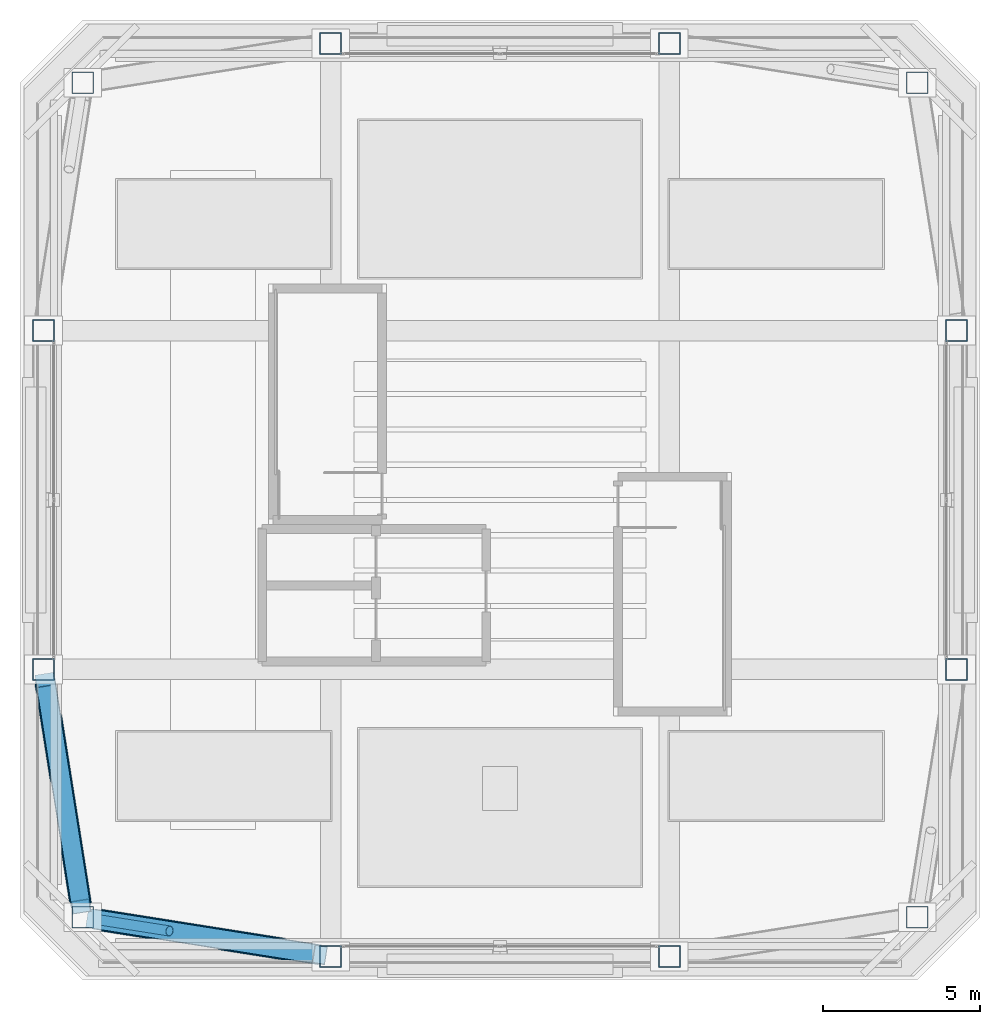
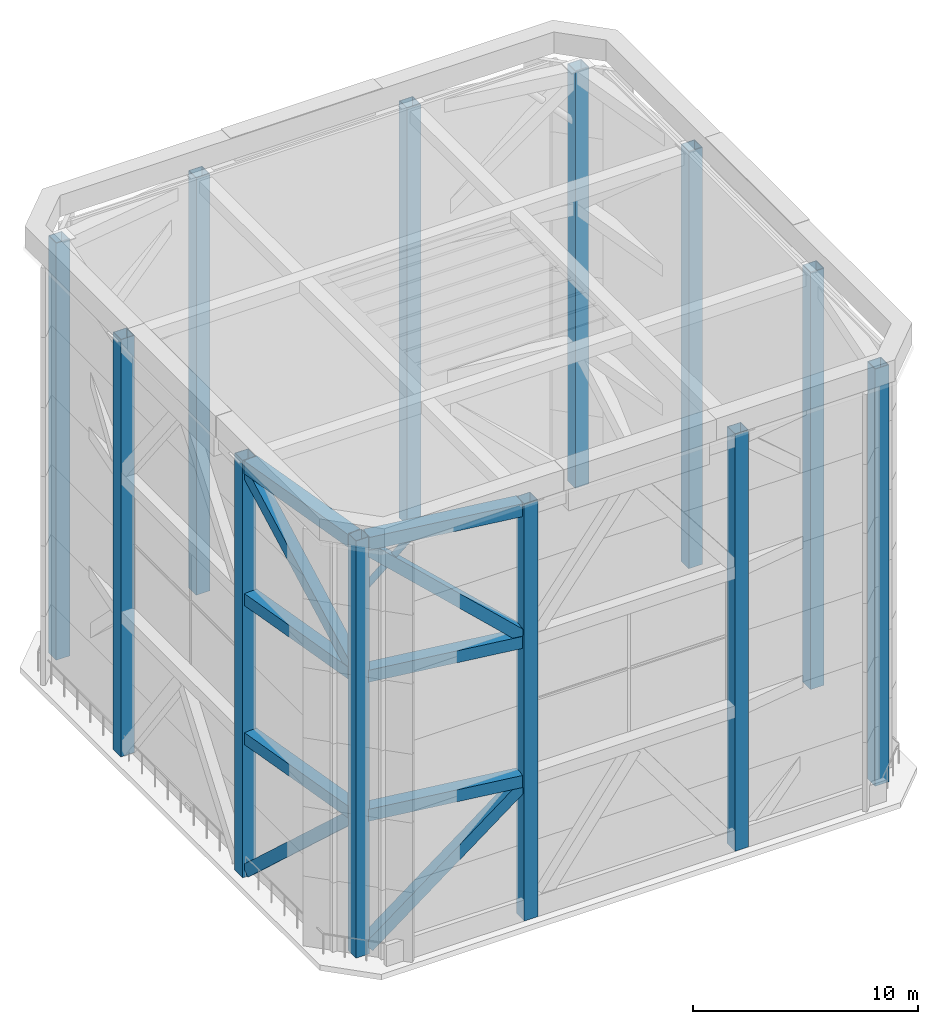
# One storey, part 1 of 28: 12 columns, 6 beams, 5 members.
"""IFC4 building model written with IfcOpenShell, lengths in metres."""

from ifc_helpers import new_model, si_unit, direction, frame, origin, origin_2d, place, context, subcontext, project, spatial, hollow_rectangle, hollow_circle, extrude, material, material_profile, profile_set, type_object, element, save


model = new_model("IFC4")

# Units and contexts
model_context = context("Model", 3, precision=1e-05, world=origin(), true_north=direction((0.0, 1.0)))
body_context = subcontext(model_context, "Body", "Model", "MODEL_VIEW")
ifc_project = project(units=[si_unit("LENGTHUNIT", "METRE"), si_unit("AREAUNIT", "SQUARE_METRE"), si_unit("VOLUMEUNIT", "CUBIC_METRE"), si_unit("PLANEANGLEUNIT", "RADIAN"), si_unit("MASSUNIT", "GRAM", prefix="KILO")], contexts=[model_context])

# Site, building, storey
site_placement = place(None, origin())
site = spatial("IfcSite", under=ifc_project, at=site_placement, CompositionType="ELEMENT")
building_placement = place(site_placement, origin())
building = spatial("IfcBuilding", under=site, at=building_placement, Name="Tashvorn Skyway Center", CompositionType="ELEMENT")
storey_placement = place(building_placement, frame((0.0, 0.0, 277.60009765625)))
storey = spatial("IfcBuildingStorey", under=building, at=storey_placement, Name="Roof Level", CompositionType="ELEMENT", Elevation=277.60009765625)

# Columns
ifc_material = material(Name="Steel ASTM A572 Grade 50", Category="steel")
ifc_material_profile_1 = material_profile(ifc_material, hollow_rectangle(XDim=0.699951171875, YDim=0.699951171875, WallThickness=0.028076171875, at=origin_2d()), Name="BOX700x700x28")
ifc_profile_set_1 = profile_set([ifc_material_profile_1], Name="Steel ASTM A572 Grade 50")
column_type = type_object("IfcColumnType", Name="COL-BOX700x700x28", PredefinedType="COLUMN", material=ifc_profile_set_1)
for number, where, z_axis, x_axis, name in (
    (1, (28.699951171875, 18.699951171875, 0.0), (0.0, 0.0, 1.0), (1.0, 0.0, 0.0), "CROWN FRAME Tower 1 Portal Column MC-SW"),
    (2, (55.300048828125, 18.699951171875, 0.0), (0.0, 0.0, 1.0), (1.0, 0.0, 0.0), "CROWN FRAME Tower 1 Portal Column MC-SE"),
    (3, (55.300048828125, 45.300048828125, 0.0), (0.0, 0.0, 1.0), (1.0, 0.0, 0.0), "CROWN FRAME Tower 1 Portal Column MC-NE"),
    (4, (28.699951171875, 45.300048828125, 0.0), (0.0, 0.0, 1.0), (1.0, 0.0, 0.0), "CROWN FRAME Tower 1 Portal Column MC-NW"),
    (5, (36.60009765625, 17.449951171875, 0.0), (0.0, 0.0, 1.0), (1.0, 0.0, 0.0), "CROWN FRAME Tower 1 Portal Column FC-S1"),
    (6, (47.39990234375, 17.449951171875, 0.0), (0.0, 0.0, 1.0), (1.0, 0.0, 0.0), "CROWN FRAME Tower 1 Portal Column FC-S2"),
    (7, (56.550048828125, 26.60009765625, 0.0), (0.0, 0.0, 1.0), (1.0, 0.0, 0.0), "CROWN FRAME Tower 1 Portal Column FC-E1"),
    (8, (56.550048828125, 37.39990234375, 0.0), (0.0, 0.0, 1.0), (1.0, 0.0, 0.0), "CROWN FRAME Tower 1 Portal Column FC-E2"),
    (9, (47.39990234375, 46.550048828125, 0.0), (0.0, 0.0, 1.0), (1.0, 0.0, 0.0), "CROWN FRAME Tower 1 Portal Column FC-N1"),
    (10, (36.60009765625, 46.550048828125, 0.0), (0.0, 0.0, 1.0), (1.0, 0.0, 0.0), "CROWN FRAME Tower 1 Portal Column FC-N2"),
    (11, (27.449951171875, 37.39990234375, 0.0), (0.0, 0.0, 1.0), (1.0, 0.0, 0.0), "CROWN FRAME Tower 1 Portal Column FC-W1"),
    (12, (27.449951171875, 26.60009765625, 0.0), (0.0, 0.0, 1.0), (1.0, 0.0, 0.0), "CROWN FRAME Tower 1 Portal Column FC-W2"),
):
    element("IfcColumn", number, at=place(storey_placement, frame(where, z_axis=z_axis, x_axis=x_axis)), inside=storey, type_object=column_type, Name=name, PredefinedType="COLUMN", context=body_context, shape_type="SweptSolid", body=[
        extrude(hollow_rectangle(XDim=0.699951171875, YDim=0.699951171875, WallThickness=0.028076171875, at=origin_2d()), origin(), (0.0, 0.0, 1.0), 22.58984375),
    ])

# Beams
ifc_material_profile_2 = material_profile(ifc_material, hollow_rectangle(XDim=0.64990234375, YDim=0.64990234375, WallThickness=0.02490234375, at=origin_2d()), Name="BOX650x650x25")
ifc_profile_set_2 = profile_set([ifc_material_profile_2], Name="Steel ASTM A572 Grade 50")
beam_type_1 = type_object("IfcBeamType", Name="BM-BEAM-BOX650x650x25", PredefinedType="BEAM", material=ifc_profile_set_2)
for number, where, z_axis, x_axis, name in (
    (13, (29.040771484375, 18.64599609375, 7.52978515625), (0.987713891031, -0.156273060583, 0.0), (0.156273060583, 0.987713891031, 0.0), "CROWN FRAME Tower 1 Lower-Tier Ring Beam 01"),
    (14, (29.040771484375, 18.64599609375, 15.059814453125), (0.987713891031, -0.156273060583, 0.0), (0.156273060583, 0.987713891031, 0.0), "CROWN FRAME Tower 1 Upper-Tier Ring Beam 01"),
    (15, (27.50390625, 26.25927734375, 7.52978515625), (0.156273060583, -0.987713891031, 0.0), (0.987713891031, 0.156273060583, 0.0), "CROWN FRAME Tower 1 Lower-Tier Ring Beam 12"),
    (16, (27.50390625, 26.25927734375, 15.059814453125), (0.156273060583, -0.987713891031, 0.0), (0.987713891031, 0.156273060583, 0.0), "CROWN FRAME Tower 1 Upper-Tier Ring Beam 12"),
):
    element("IfcBeam", number, at=place(storey_placement, frame(where, z_axis=z_axis, x_axis=x_axis)), inside=storey, type_object=beam_type_1, Name=name, PredefinedType="BEAM", context=body_context, shape_type="SweptSolid", body=[
        extrude(hollow_rectangle(XDim=0.64990234375, YDim=0.64990234375, WallThickness=0.02490234375, at=origin_2d()), origin(), (0.0, 0.0, 1.0), 7.308349609375),
    ])
ifc_material_profile_3 = material_profile(ifc_material, hollow_rectangle(XDim=0.699951171875, YDim=0.699951171875, WallThickness=0.028076171875, at=origin_2d()), Name="BOX700x700x28")
ifc_profile_set_3 = profile_set([ifc_material_profile_3], Name="Steel ASTM A572 Grade 50")
beam_type_2 = type_object("IfcBeamType", Name="BM-BEAM-BOX700x700x28", PredefinedType="BEAM", material=ifc_profile_set_3)
for number, where, z_axis, x_axis, name in (
    (17, (29.040771484375, 18.64599609375, 22.239990234375), (0.987713891031, -0.156273060583, 0.0), (0.156273060583, 0.987713891031, 0.0), "CROWN FRAME Tower 1 Top Cap Ring Beam 01"),
    (18, (27.50390625, 26.25927734375, 22.239990234375), (0.156273060583, -0.987713891031, 0.0), (0.987713891031, 0.156273060583, 0.0), "CROWN FRAME Tower 1 Top Cap Ring Beam 12"),
):
    element("IfcBeam", number, at=place(storey_placement, frame(where, z_axis=z_axis, x_axis=x_axis)), inside=storey, type_object=beam_type_2, Name=name, PredefinedType="BEAM", context=body_context, shape_type="SweptSolid", body=[
        extrude(hollow_rectangle(XDim=0.699951171875, YDim=0.699951171875, WallThickness=0.028076171875, at=origin_2d()), origin(), (0.0, 0.0, 1.0), 7.308349609375),
    ])

# Members
ifc_material_profile_4 = material_profile(ifc_material, hollow_rectangle(XDim=0.60009765625, YDim=0.60009765625, WallThickness=0.02490234375, at=origin_2d()), Name="BOX600x600x25")
ifc_profile_set_4 = profile_set([ifc_material_profile_4], Name="Steel ASTM A572 Grade 50")
member_type_1 = type_object("IfcMemberType", Name="MEM-CF-BRC-600", PredefinedType="BRACE", material=ifc_profile_set_4)
member_1_placement = place(storey_placement, frame((29.040771484375, 18.64599609375, 0.349853515625), z_axis=(0.720152058307, -0.113940248546, 0.684396546365), x_axis=(0.156273060583, 0.987713891031, 0.0)))
element("IfcMember", 19, at=member_1_placement, inside=storey, type_object=member_type_1, Name="CROWN FRAME Tower 1 Lower Portal Brace 01", PredefinedType="BRACE", context=body_context, shape_type="SweptSolid", body=[
    extrude(hollow_rectangle(XDim=0.60009765625, YDim=0.60009765625, WallThickness=0.02490234375, at=origin_2d()), origin(), (0.0, 0.0, 1.0), 10.023681640625),
])
member_2_placement = place(storey_placement, frame((36.25927734375, 17.50390625, 15.3798828125), z_axis=(-0.737035724004, 0.116611530317, 0.665717727373), x_axis=(-0.156273060583, -0.987713891031, 0.0)))
element("IfcMember", 20, at=member_2_placement, inside=storey, type_object=member_type_1, Name="CROWN FRAME Tower 1 Upper Portal Brace 01", PredefinedType="BRACE", context=body_context, shape_type="SweptSolid", body=[
    extrude(hollow_rectangle(XDim=0.60009765625, YDim=0.60009765625, WallThickness=0.02490234375, at=origin_2d()), origin(), (0.0, 0.0, 1.0), 9.7939453125),
])
member_3_placement = place(storey_placement, frame((27.50390625, 26.25927734375, 0.349853515625), z_axis=(0.113940248546, -0.720152058307, 0.684396546365), x_axis=(0.987713891031, 0.156273060583, 0.0)))
element("IfcMember", 21, at=member_3_placement, inside=storey, type_object=member_type_1, Name="CROWN FRAME Tower 1 Lower Portal Brace 12", PredefinedType="BRACE", context=body_context, shape_type="SweptSolid", body=[
    extrude(hollow_rectangle(XDim=0.60009765625, YDim=0.60009765625, WallThickness=0.02490234375, at=origin_2d()), origin(), (0.0, 0.0, 1.0), 10.023681640625),
])
member_4_placement = place(storey_placement, frame((28.64599609375, 19.040771484375, 15.3798828125), z_axis=(-0.116611530317, 0.737035724004, 0.665717727373), x_axis=(-0.987713891031, -0.156273060583, 0.0)))
element("IfcMember", 22, at=member_4_placement, inside=storey, type_object=member_type_1, Name="CROWN FRAME Tower 1 Upper Portal Brace 12", PredefinedType="BRACE", context=body_context, shape_type="SweptSolid", body=[
    extrude(hollow_rectangle(XDim=0.60009765625, YDim=0.60009765625, WallThickness=0.02490234375, at=origin_2d()), origin(), (0.0, 0.0, 1.0), 9.7939453125),
])
ifc_material_profile_5 = material_profile(ifc_material, hollow_circle(Radius=0.162109375, WallThickness=0.01611328125, at=origin_2d()), Name="CHS324x16")
ifc_profile_set_5 = profile_set([ifc_material_profile_5], Name="Steel ASTM A572 Grade 50")
member_type_2 = type_object("IfcMemberType", Name="MEM-ST-324", PredefinedType="STRUT", material=ifc_profile_set_5)
member_5_placement = place(storey_placement, frame((28.699951171875, 18.699951171875, 19.389892578125), z_axis=(0.692140281618, -0.109510452469, 0.713406820378), x_axis=(0.156276041632, 0.987713419374, 0.0)))
element("IfcMember", 23, at=member_5_placement, inside=storey, type_object=member_type_2, Name="CROWN FRAME Tower 1 Corner Knee-Strut 1", PredefinedType="STRUT", context=body_context, shape_type="SweptSolid", body=[
    extrude(hollow_circle(Radius=0.162109375, WallThickness=0.01611328125, at=origin_2d()), origin(), (0.0, 0.0, 1.0), 3.9951171875),
])

save(model, "model.ifc")
